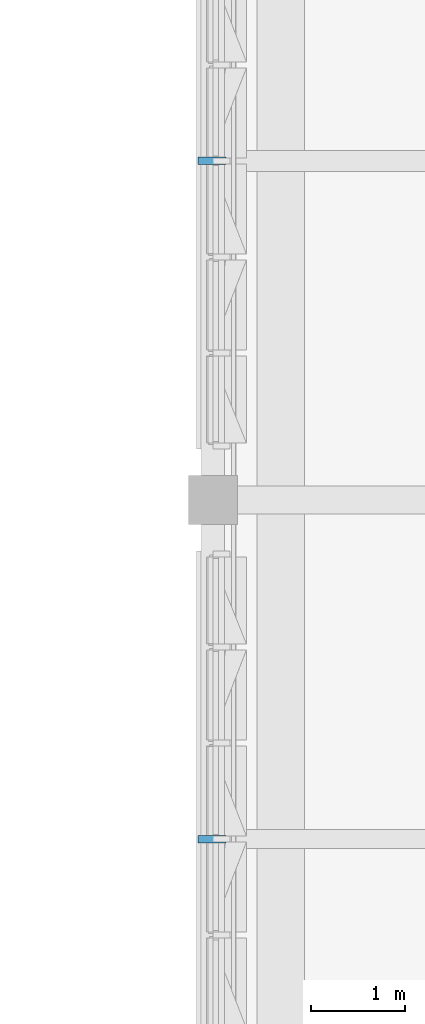
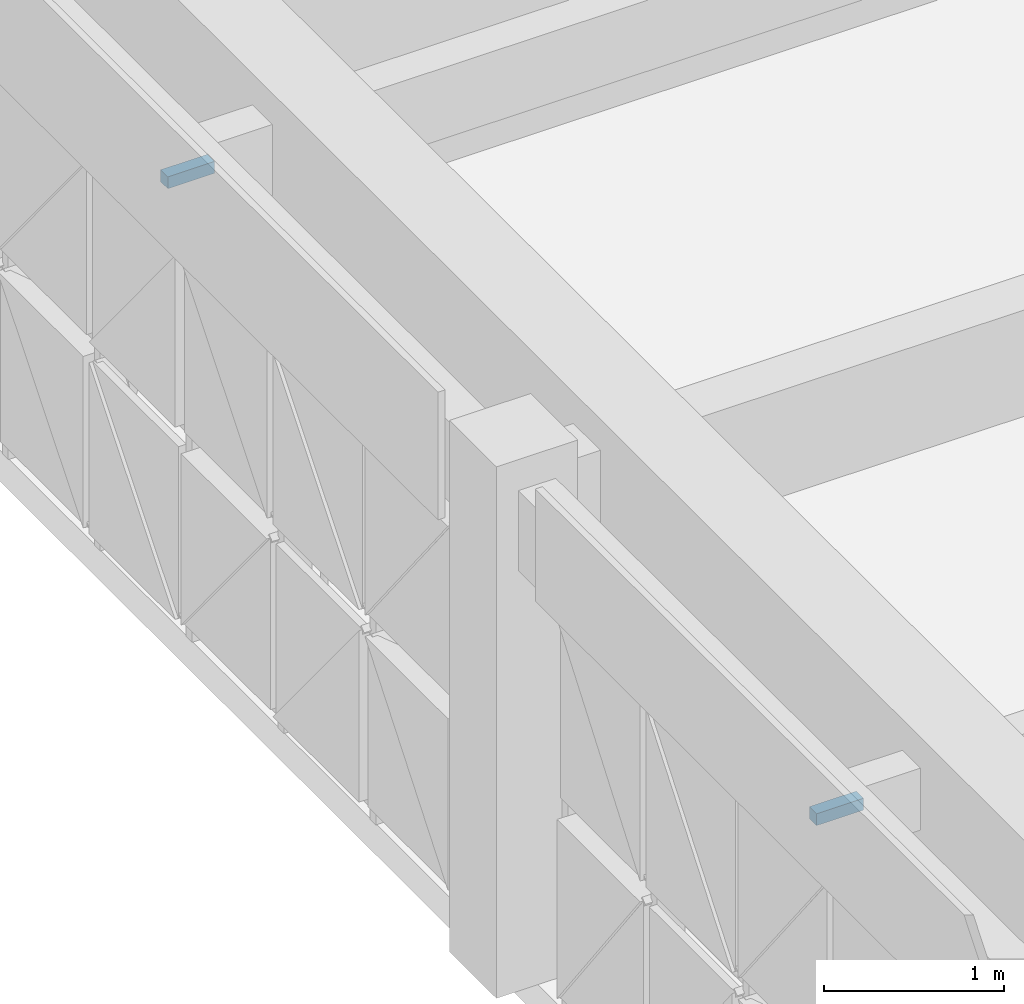
# One storey, part 55 of 74: 2 discrete accessories.
"""IFC4 building model written with IfcOpenShell, lengths in metres."""

from ifc_helpers import new_model, si_unit, direction, frame, origin, origin_2d, place, context, subcontext, project, spatial, rectangle, extrude, material, type_object, element, save


model = new_model("IFC4")

# Units and contexts
model_context = context("Model", 3, precision=1e-05, world=origin(), true_north=direction((0.0, 1.0)))
body_context = subcontext(model_context, "Body", "Model", "MODEL_VIEW")
ifc_project = project(units=[si_unit("LENGTHUNIT", "METRE"), si_unit("AREAUNIT", "SQUARE_METRE"), si_unit("VOLUMEUNIT", "CUBIC_METRE"), si_unit("PLANEANGLEUNIT", "RADIAN"), si_unit("MASSUNIT", "GRAM", prefix="KILO")], contexts=[model_context])

# Site, building, storey
site_placement = place(None, origin())
site = spatial("IfcSite", under=ifc_project, at=site_placement, CompositionType="ELEMENT")
building_placement = place(site_placement, origin())
building = spatial("IfcBuilding", under=site, at=building_placement, Name="Alvorim Cloister Faculty of Sciences", CompositionType="ELEMENT")
storey_placement = place(building_placement, frame((0.0, 0.0, 15.75)))
storey = spatial("IfcBuildingStorey", under=building, at=storey_placement, Name="L04", CompositionType="ELEMENT", Elevation=15.75)

# Discrete accessories
ifc_material = material(Name="Aluminium Alloy 6063-T6", Category="aluminium")
discrete_accessory_type = type_object("IfcDiscreteAccessoryType", Name="ACC-DIAG-BAR", PredefinedType="BRACKET", material=ifc_material)
for number, where, z_axis, x_axis, name in (
    (1, (64.93994140625, 18.0, 3.22509765625), (-1.0, 0.0, 0.0), (0.0, -1.0, 0.0), "Slab-Edge Fascia Tie Bracket ACC-02267"),
    (2, (64.93994140625, 25.199951171875, 3.1728515625), (-1.0, 0.0, 0.0), (0.0, -1.0, 0.0), "Slab-Edge Fascia Tie Bracket ACC-02280"),
):
    element("IfcDiscreteAccessory", number, at=place(storey_placement, frame(where, z_axis=z_axis, x_axis=x_axis)), inside=storey, type_object=discrete_accessory_type, Name=name, PredefinedType="BRACKET", context=body_context, shape_type="SweptSolid", body=[
        extrude(rectangle(XDim=0.080078125, YDim=0.080078125, at=origin_2d()), origin(), (0.0, 0.0, 1.0), 0.300048828125),
    ])

save(model, "model.ifc")
